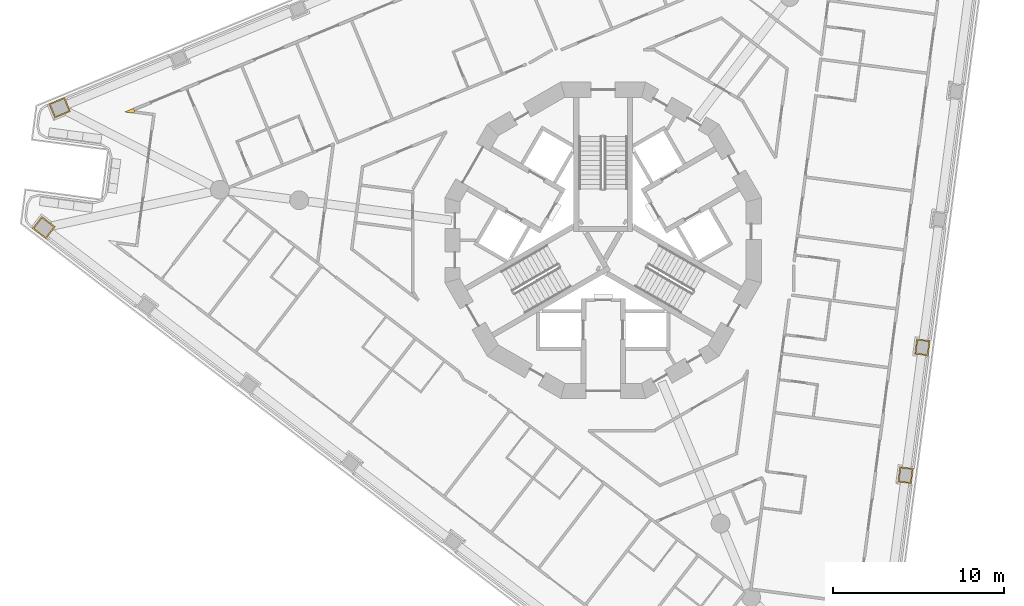
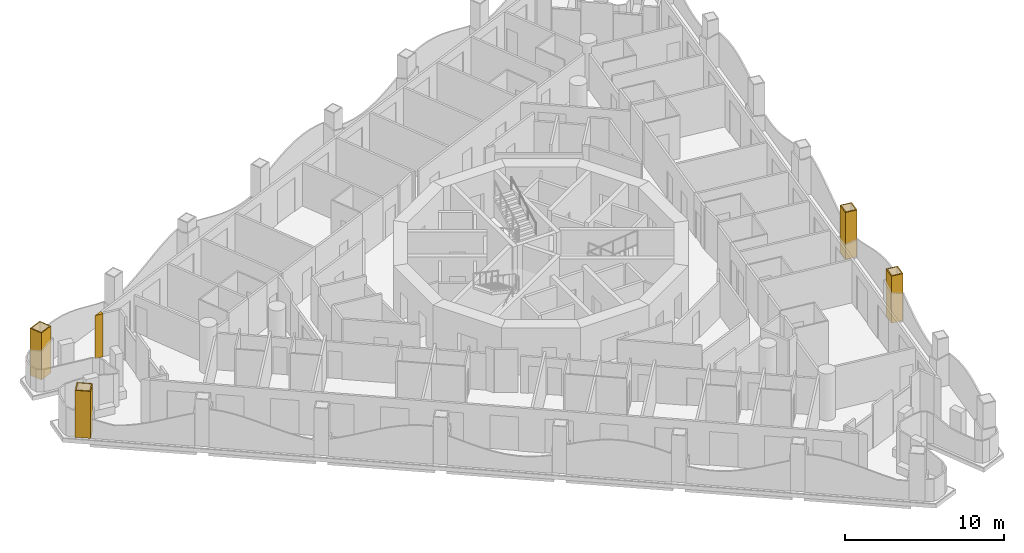
# One storey, part 14 of 17: 5 coverings.
"""IFC4 building model written with IfcOpenShell, lengths in metres."""

from ifc_helpers import new_model, si_unit, direction, frame, origin, place, context, subcontext, project, spatial, polyline, outline, extrude, material, layer, layer_set, type_object, element, save


model = new_model("IFC4")

# Units and contexts
model_context = context("Model", 3, precision=1e-05, world=origin(), true_north=direction((0.0, 1.0)))
body_context = subcontext(model_context, "Body", "Model", "MODEL_VIEW")
ifc_project = project(units=[si_unit("LENGTHUNIT", "METRE"), si_unit("AREAUNIT", "SQUARE_METRE"), si_unit("VOLUMEUNIT", "CUBIC_METRE"), si_unit("PLANEANGLEUNIT", "RADIAN"), si_unit("MASSUNIT", "GRAM", prefix="KILO")], contexts=[model_context])

# Site, building, storey
site_placement = place(None, origin())
site = spatial("IfcSite", under=ifc_project, at=site_placement, CompositionType="ELEMENT")
building_placement = place(site_placement, origin())
building = spatial("IfcBuilding", under=site, at=building_placement, Name="Trine Commons Tower", CompositionType="ELEMENT")
storey_placement = place(building_placement, frame((0.0, 0.0, 127.800048828125)))
storey = spatial("IfcBuildingStorey", under=building, at=storey_placement, Name="L32", CompositionType="ELEMENT", Elevation=127.800048828125)

# Coverings
ifc_material_1 = material(Name="Aluminium-framed insulated wall panel", Category="aluminium")
ifc_layer_1 = layer(ifc_material_1, 0.14990234375)
ifc_layer_set_1 = layer_set([ifc_layer_1], Name="Aluminium-framed insulated wall panel")
covering_type_1 = type_object("IfcCoveringType", Name="Glazing corner post, aluminium", PredefinedType="CLADDING", material=ifc_layer_set_1)
covering_1_placement = place(storey_placement, origin())
element("IfcCovering", 1, at=covering_1_placement, inside=storey, type_object=covering_type_1, Name="Glazing corner post 4-04", PredefinedType="CLADDING", context=body_context, shape_type="SweptSolid", body=[
    extrude(outline(polyline([(52.53369140625, 69.938720703125), (52.553466796875, 70.08740234375), (52.49609375, 70.22607421875), (51.978759765625, 70.01171875), (52.53369140625, 69.938720703125)])), origin(), (0.0, 0.0, 1.0), 3.300048828125),
])
ifc_material_2 = material(Name="Limestone, honed", Category="masonry")
ifc_layer_2 = layer(ifc_material_2, 0.074951171875)
ifc_layer_set_2 = layer_set([ifc_layer_2], Name="Limestone, honed")
covering_type_2 = type_object("IfcCoveringType", Name="Limestone column cladding 75", PredefinedType="CLADDING", material=ifc_layer_set_2)
covering_2_placement = place(storey_placement, origin())
element("IfcCovering", 2, at=covering_2_placement, inside=storey, type_object=covering_type_2, Name="Limestone pier cladding 4-08", PredefinedType="CLADDING", context=body_context, shape_type="SweptSolid", body=[
    extrude(outline(polyline([(47.1259765625, 63.898193359375), (46.578125, 63.18408203125), (47.371337890625, 62.5751953125), (47.919189453125, 63.289306640625), (47.1259765625, 63.898193359375)]), holes=[polyline([(47.139892578125, 63.79296875), (46.68310546875, 63.197998046875), (47.357666015625, 62.680419921875), (47.814208984375, 63.275390625), (47.139892578125, 63.79296875)])]), origin(), (0.0, 0.0, 1.0), 3.599853515625),
])
covering_3_placement = place(storey_placement, origin())
element("IfcCovering", 3, at=covering_3_placement, inside=storey, type_object=covering_type_2, Name="Limestone pier cladding 4-09", PredefinedType="CLADDING", context=body_context, shape_type="SweptSolid", body=[
    extrude(outline(polyline([(48.80810546875, 70.04052734375), (48.463623046875, 70.8720703125), (47.539794921875, 70.489501953125), (47.88427734375, 69.657958984375), (48.80810546875, 70.04052734375)]), holes=[polyline([(48.710205078125, 70.081298828125), (48.423095703125, 70.774169921875), (47.6376953125, 70.44873046875), (47.9248046875, 69.755859375), (48.710205078125, 70.081298828125)])]), origin(), (0.0, 0.0, 1.0), 3.599853515625),
])
covering_4_placement = place(storey_placement, origin())
element("IfcCovering", 4, at=covering_4_placement, inside=storey, type_object=covering_type_2, Name="Limestone pier cladding 4-21", PredefinedType="CLADDING", context=body_context, shape_type="SweptSolid", body=[
    extrude(outline(polyline([(99.150146484375, 56.6240234375), (98.35693359375, 56.728515625), (98.239501953125, 55.836181640625), (99.03271484375, 55.731689453125), (99.150146484375, 56.6240234375)]), holes=[polyline([(99.06591796875, 56.5595703125), (98.42138671875, 56.644287109375), (98.323486328125, 55.90087890625), (98.968017578125, 55.81591796875), (99.06591796875, 56.5595703125)])]), origin(), (0.0, 0.0, 1.0), 3.599853515625),
])
covering_5_placement = place(storey_placement, origin())
element("IfcCovering", 5, at=covering_5_placement, inside=storey, type_object=covering_type_2, Name="Limestone pier cladding 4-22", PredefinedType="CLADDING", context=body_context, shape_type="SweptSolid", body=[
    extrude(outline(polyline([(98.164306640625, 49.13671875), (97.371337890625, 49.2412109375), (97.25390625, 48.34912109375), (98.046875, 48.244384765625), (98.164306640625, 49.13671875)]), holes=[polyline([(98.080322265625, 49.072265625), (97.435791015625, 49.156982421875), (97.337890625, 48.41357421875), (97.982421875, 48.32861328125), (98.080322265625, 49.072265625)])]), origin(), (0.0, 0.0, 1.0), 3.599853515625),
])

save(model, "model.ifc")
